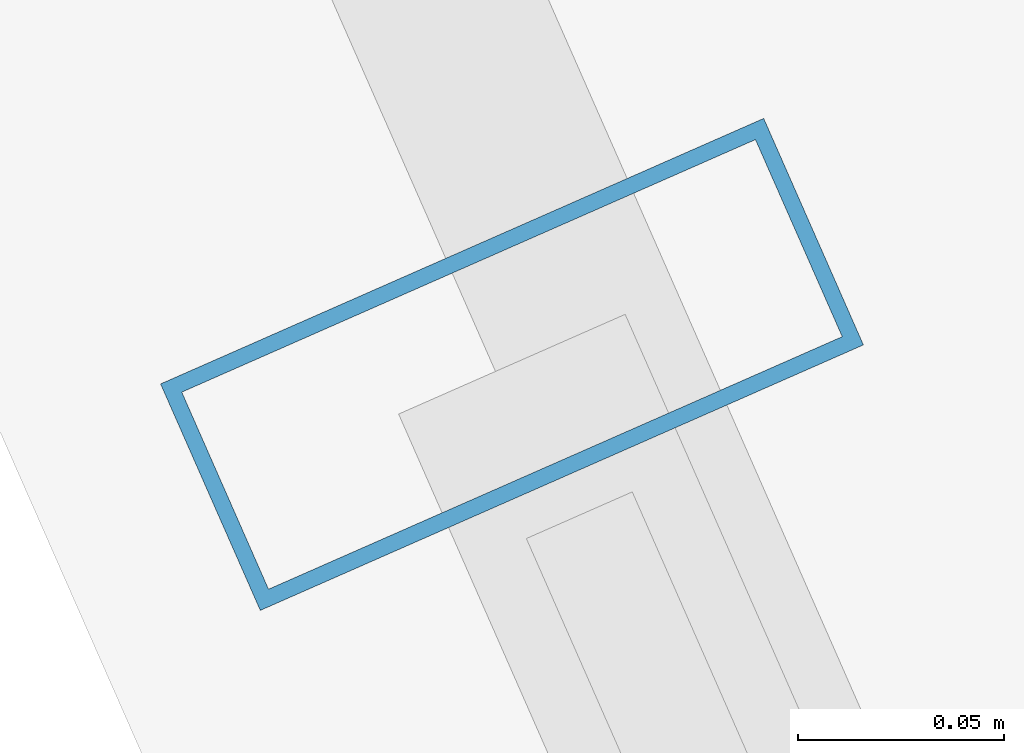
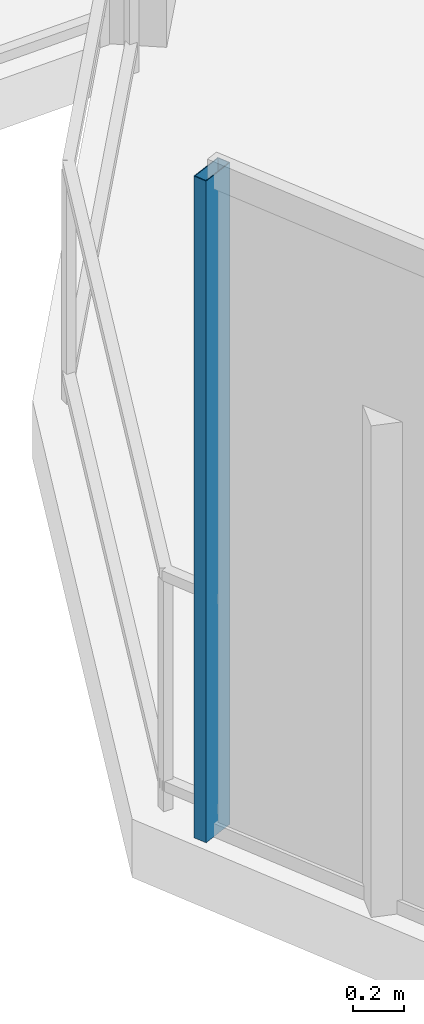
# One storey, part 14 of 28: 1 member, 1 element without a shape of its own.
"""IFC4 building model written with IfcOpenShell, lengths in metres."""

from ifc_helpers import new_model, si_unit, direction, frame, origin, origin_2d, place, context, subcontext, project, spatial, hollow_rectangle, extrude, material, layer, layer_set, material_profile, profile_set, type_object, element, aggregate, save


model = new_model("IFC4")

# Units and contexts
model_context = context("Model", 3, precision=1e-05, world=origin(), true_north=direction((0.0, 1.0)))
body_context = subcontext(model_context, "Body", "Model", "MODEL_VIEW")
ifc_project = project(units=[si_unit("LENGTHUNIT", "METRE"), si_unit("AREAUNIT", "SQUARE_METRE"), si_unit("VOLUMEUNIT", "CUBIC_METRE"), si_unit("PLANEANGLEUNIT", "RADIAN"), si_unit("MASSUNIT", "GRAM", prefix="KILO")], contexts=[model_context])

# Site, building, storey
site_placement = place(None, origin())
site = spatial("IfcSite", under=ifc_project, at=site_placement, CompositionType="ELEMENT")
building_placement = place(site_placement, origin())
building = spatial("IfcBuilding", under=site, at=building_placement, Name="Qarnah Convention Tower", CompositionType="ELEMENT")
storey_placement = place(building_placement, frame((0.0, 0.0, 44.25)))
storey = spatial("IfcBuildingStorey", under=building, at=storey_placement, Name="L10", CompositionType="ELEMENT", Elevation=44.25)

# Curtain wall, member
ifc_material_1 = material(Name="Tempered Low-E dark glass", Category="glass")
ifc_layer = layer(ifc_material_1, 0.16796875)
ifc_layer_set = layer_set([ifc_layer], Name="Tempered Low-E dark glass")
curtain_wall_type = type_object("IfcCurtainWallType", Name="CWS-01", PredefinedType="NOTDEFINED", material=ifc_layer_set)
curtain_wall_placement = place(storey_placement, origin())
curtain_wall = element("IfcCurtainWall", 1, at=curtain_wall_placement, inside=storey, type_object=curtain_wall_type, Name="L10 unitised curtain wall CW-L10-F1", PredefinedType="NOTDEFINED")
ifc_material_2 = material(Name="Black anodised aluminium", Category="aluminium")
ifc_material_profile = material_profile(ifc_material_2, hollow_rectangle(XDim=0.06005859375, YDim=0.159912109375, WallThickness=0.00390625, at=origin_2d()), Name="MUL-60X160")
ifc_profile_set = profile_set([ifc_material_profile], Name="Black anodised aluminium")
member_type = type_object("IfcMemberType", Name="MUL-T1", PredefinedType="MULLION", material=ifc_profile_set)
member_placement = place(storey_placement, frame((13.931884765625, 34.431884765625, 0.0), z_axis=(0.0, 0.0, 1.0), x_axis=(-0.402894582993, 0.915246390321, 0.0)))
member = element("IfcMember", 2, at=member_placement, type_object=member_type, Name="CW-L10-F1 mullion 6", PredefinedType="MULLION", context=body_context, shape_type="SweptSolid", body=[
    extrude(hollow_rectangle(XDim=0.06005859375, YDim=0.159912109375, WallThickness=0.00390625, at=origin_2d()), origin(), (0.0, 0.0, 1.0), 3.169921875),
])
aggregate(curtain_wall, [member])

save(model, "model.ifc")
